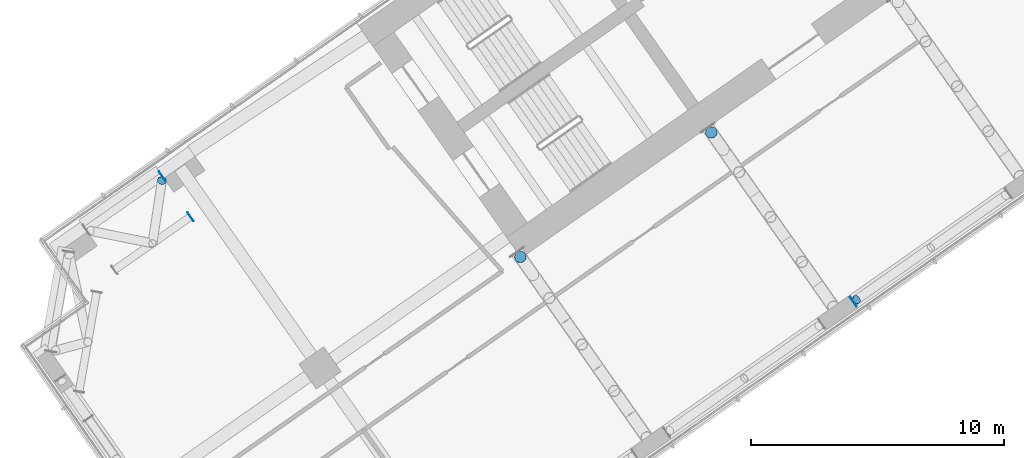
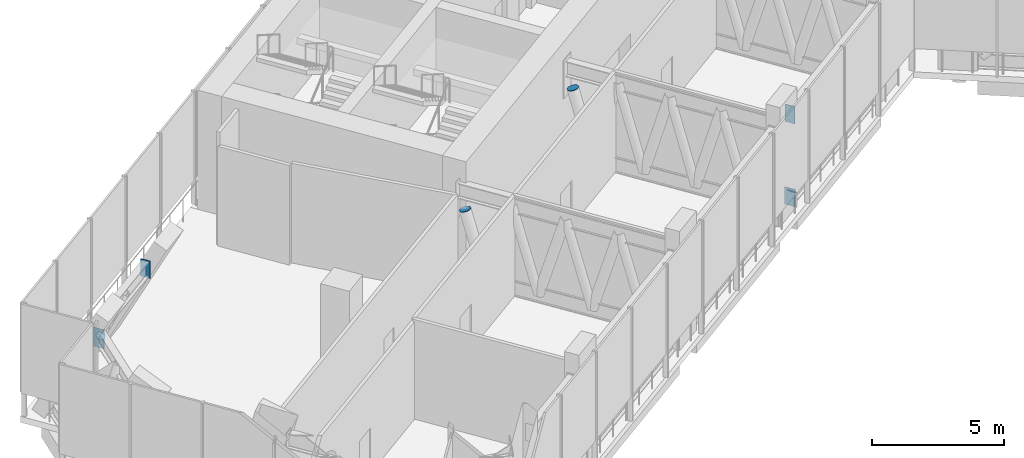
# One storey, part 13 of 24: 8 discrete accessories.
"""IFC4 building model written with IfcOpenShell, lengths in metres."""

from ifc_helpers import new_model, si_unit, direction, frame, origin, origin_2d, place, context, subcontext, project, spatial, rectangle, circle, extrude, material, layer, layer_set, material_profile, profile_set, type_object, element, save


model = new_model("IFC4")

# Units and contexts
model_context = context("Model", 3, precision=1e-05, world=origin(), true_north=direction((0.0, 1.0)))
body_context = subcontext(model_context, "Body", "Model", "MODEL_VIEW")
ifc_project = project(units=[si_unit("LENGTHUNIT", "METRE"), si_unit("AREAUNIT", "SQUARE_METRE"), si_unit("VOLUMEUNIT", "CUBIC_METRE"), si_unit("PLANEANGLEUNIT", "RADIAN"), si_unit("MASSUNIT", "GRAM", prefix="KILO")], contexts=[model_context])

# Site, building, storey
site_placement = place(None, origin())
site = spatial("IfcSite", under=ifc_project, at=site_placement, CompositionType="ELEMENT")
building_placement = place(site_placement, origin())
building = spatial("IfcBuilding", under=site, at=building_placement, Name="Tel Ilan Convention Tower", CompositionType="ELEMENT")
storey_placement = place(building_placement, frame((0.0, 0.0, 126.5)))
storey = spatial("IfcBuildingStorey", under=building, at=storey_placement, Name="L28", CompositionType="ELEMENT", Elevation=126.5)

# Discrete accessories
ifc_material_1 = material(Name="Steel S355", Category="steel")
ifc_material_profile_1 = material_profile(ifc_material_1, circle(Radius=0.177734375, at=origin_2d()), Name="End Cap Disc 356 mm Steel S355")
ifc_profile_set_1 = profile_set([ifc_material_profile_1], Name="Steel S355")
discrete_accessory_type_1 = type_object("IfcDiscreteAccessoryType", Name="End Cap Disc 356 mm Steel S355", PredefinedType="BRACKET", material=ifc_profile_set_1)
for number, where, z_axis, x_axis, name in (
    (1, (-8.287353515625, -17.94970703125, 0.51904296875), (-0.573597420318, -0.390534413834, -0.720047825506), (0.562790977082, -0.826599247589, 0.0), "L28 W-F1-W-F2 belt end cap"),
    (2, (-35.73583984375, -13.25439453125, 0.60888671875), (0.085220226656, 0.572192950404, -0.815679312277), (-0.989090177882, 0.147311303089, 0.0), "L28 W-BC-W-B4 belt end cap"),
):
    element("IfcDiscreteAccessory", number, at=place(storey_placement, frame(where, z_axis=z_axis, x_axis=x_axis)), inside=storey, type_object=discrete_accessory_type_1, Name=name, PredefinedType="BRACKET", context=body_context, shape_type="SweptSolid", body=[
        extrude(circle(Radius=0.177734375, at=origin_2d()), origin(), (0.0, 0.0, 1.0), 0.02001953125),
    ])
ifc_material_2 = material(Name="Steel S355", Category="steel")
ifc_material_profile_2 = material_profile(ifc_material_2, circle(Radius=0.228515625, at=origin_2d()), Name="End Cap Disc 457 mm Steel S355")
ifc_profile_set_2 = profile_set([ifc_material_profile_2], Name="Steel S355")
discrete_accessory_type_2 = type_object("IfcDiscreteAccessoryType", Name="End Cap Disc 457 mm Steel S355", PredefinedType="BRACKET", material=ifc_profile_set_2)
discrete_accessory_1_placement = place(storey_placement, frame((-14.024658203125, -11.352783203125, 3.26806640625), z_axis=(-0.159849490745, 0.233626178782, 0.959096944472), x_axis=(-0.82530726125, -0.564683915592, 0.0)))
element("IfcDiscreteAccessory", 3, at=discrete_accessory_1_placement, inside=storey, type_object=discrete_accessory_type_2, Name="L28 W-F2 outrigger end cap", PredefinedType="BRACKET", context=body_context, shape_type="SweptSolid", body=[
    extrude(circle(Radius=0.228515625, at=origin_2d()), origin(), (0.0, 0.0, 1.0), 0.019775390625),
])
discrete_accessory_2_placement = place(storey_placement, frame((-21.5693359375, -16.268798828125, 3.299560546875), z_axis=(-0.157985396841, 0.230901733845, 0.960065103882), x_axis=(-0.82530726125, -0.564683915592, 0.0)))
element("IfcDiscreteAccessory", 4, at=discrete_accessory_2_placement, inside=storey, type_object=discrete_accessory_type_2, Name="L28 W-F3 outrigger end cap", PredefinedType="BRACKET", context=body_context, shape_type="SweptSolid", body=[
    extrude(circle(Radius=0.228515625, at=origin_2d()), origin(), (0.0, 0.0, 1.0), 0.02001953125),
])
ifc_material_3 = material(Name="Steel S355", Category="steel")
ifc_layer = layer(ifc_material_3, 0.02490234375)
ifc_layer_set = layer_set([ifc_layer], Name="End Plate 25 mm Steel S355")
discrete_accessory_type_3 = type_object("IfcDiscreteAccessoryType", Name="End Plate 25 mm Steel S355", PredefinedType="BRACKET", material=ifc_layer_set)
discrete_accessory_3_placement = place(storey_placement, frame((-8.4130859375, -18.03759765625, -0.0498046875), z_axis=(0.0, 0.0, 1.0), x_axis=(-0.819152044289, -0.573576436351, 0.0)))
element("IfcDiscreteAccessory", 5, at=discrete_accessory_3_placement, inside=storey, type_object=discrete_accessory_type_3, Name="L28 W-F1-W-F2 belt end plate", PredefinedType="BRACKET", context=body_context, shape_type="SweptSolid", body=[
    extrude(rectangle(XDim=0.02490234375, YDim=0.45556640625, at=origin_2d()), origin(), (0.0, 0.0, 1.0), 0.800048828125),
])
discrete_accessory_4_placement = place(storey_placement, frame((-8.4130859375, -18.03759765625, 3.77001953125), z_axis=(0.0, 0.0, 1.0), x_axis=(-0.819152044289, -0.573576436351, 0.0)))
element("IfcDiscreteAccessory", 6, at=discrete_accessory_4_placement, inside=storey, type_object=discrete_accessory_type_3, Name="L28 W-F1-W-F2 belt end plate", PredefinedType="BRACKET", context=body_context, shape_type="SweptSolid", body=[
    extrude(rectangle(XDim=0.02490234375, YDim=0.39990234375, at=origin_2d()), origin(), (0.0, 0.0, 1.0), 0.800048828125),
])
discrete_accessory_5_placement = place(storey_placement, frame((-35.718994140625, -13.08154296875, -0.0498046875), z_axis=(0.0, 0.0, 1.0), x_axis=(0.819152044289, 0.573576436351, 0.0)))
element("IfcDiscreteAccessory", 7, at=discrete_accessory_5_placement, inside=storey, type_object=discrete_accessory_type_3, Name="L28 W-BC-W-B4 belt end plate", PredefinedType="BRACKET", context=body_context, shape_type="SweptSolid", body=[
    extrude(rectangle(XDim=0.02490234375, YDim=0.45556640625, at=origin_2d()), origin(), (0.0, 0.0, 1.0), 0.870361328125),
])
discrete_accessory_6_placement = place(storey_placement, frame((-34.603515625, -14.674560546875, 3.77001953125), z_axis=(0.0, 0.0, 1.0), x_axis=(0.819152044289, 0.573576436351, 0.0)))
element("IfcDiscreteAccessory", 8, at=discrete_accessory_6_placement, inside=storey, type_object=discrete_accessory_type_3, Name="L28 W-BC-W-B4 belt end plate", PredefinedType="BRACKET", context=body_context, shape_type="SweptSolid", body=[
    extrude(rectangle(XDim=0.02490234375, YDim=0.39990234375, at=origin_2d()), origin(), (0.0, 0.0, 1.0), 0.800048828125),
])

save(model, "model.ifc")
